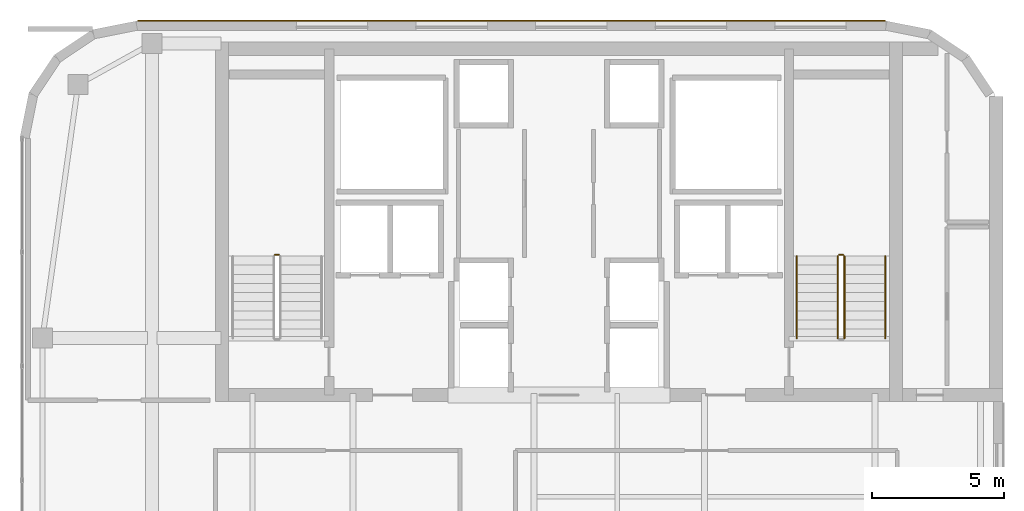
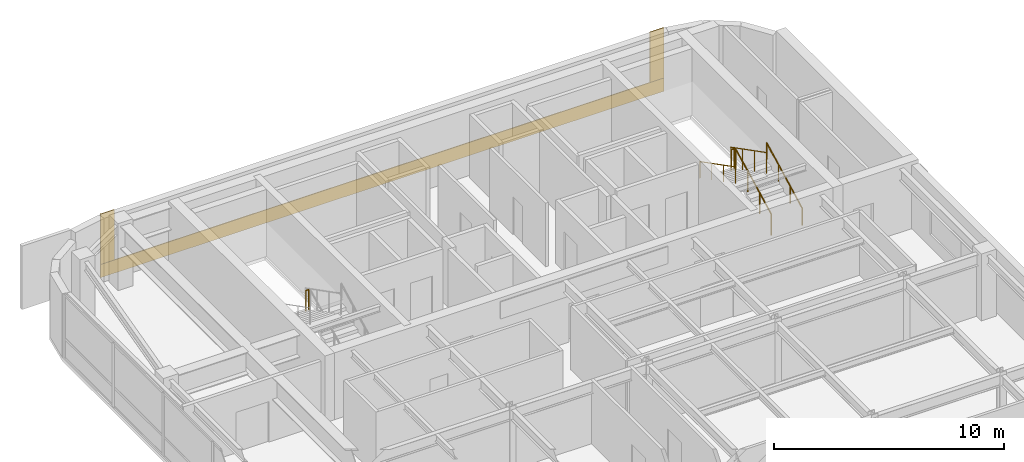
# One storey, part 21 of 21: 6 railings, 3 coverings.
"""IFC4 building model written with IfcOpenShell, lengths in metres."""

from ifc_helpers import new_model, si_unit, direction, frame, origin, origin_2d, place, context, subcontext, project, spatial, polyline, circle, outline, extrude, material, layer, layer_set, type_object, element, save


model = new_model("IFC4")

# Units and contexts
model_context = context("Model", 3, precision=1e-05, world=origin(), true_north=direction((0.0, 1.0)))
body_context = subcontext(model_context, "Body", "Model", "MODEL_VIEW")
ifc_project = project(units=[si_unit("LENGTHUNIT", "METRE"), si_unit("AREAUNIT", "SQUARE_METRE"), si_unit("VOLUMEUNIT", "CUBIC_METRE"), si_unit("PLANEANGLEUNIT", "RADIAN"), si_unit("MASSUNIT", "GRAM", prefix="KILO")], contexts=[model_context])

# Site, building, storey
site_placement = place(None, origin())
site = spatial("IfcSite", under=ifc_project, at=site_placement, CompositionType="ELEMENT")
building_placement = place(site_placement, origin())
building = spatial("IfcBuilding", under=site, at=building_placement, Name="Tolvann Quenvar Hotel", CompositionType="ELEMENT")
storey_placement = place(building_placement, frame((0.0, 0.0, 227.449951171875)))
storey = spatial("IfcBuildingStorey", under=building, at=storey_placement, Name="L60", CompositionType="ELEMENT", Elevation=227.449951171875)

# Coverings
ifc_material_1 = material(Name="Kiln-fired red architectural face brick cladding", Category="masonry")
ifc_layer_1 = layer(ifc_material_1, 0.0400390625)
ifc_layer_set_1 = layer_set([ifc_layer_1], Name="Kiln-fired red architectural face brick cladding")
covering_type_1 = type_object("IfcCoveringType", Name="COV_CLAD_BRICK_40", PredefinedType="CLADDING", material=ifc_layer_set_1)
covering_1_placement = place(storey_placement, frame((0.0, 0.0, 0.699951171875)))
element("IfcCovering", 1, at=covering_1_placement, inside=storey, type_object=covering_type_1, Name="Brick Pier Cladding (L60-E14-P1)", PredefinedType="CLADDING", context=body_context, shape_type="SweptSolid", body=[
    extrude(outline(polyline([(35.332763671875, 46.0), (34.6328125, 46.0), (34.6328125, 46.0400390625), (35.332763671875, 46.0400390625), (35.332763671875, 46.0)])), origin(), (0.0, 0.0, 1.0), 2.670166015625),
])
covering_2_placement = place(storey_placement, frame((0.0, 0.0, 0.699951171875)))
element("IfcCovering", 2, at=covering_2_placement, inside=storey, type_object=covering_type_1, Name="Brick Pier Cladding (L60-E14-P2)", PredefinedType="CLADDING", context=body_context, shape_type="SweptSolid", body=[
    extrude(outline(polyline([(7.76708984375, 46.0), (7.067138671875, 46.0), (7.067138671875, 46.0400390625), (7.76708984375, 46.0400390625), (7.76708984375, 46.0)])), origin(), (0.0, 0.0, 1.0), 2.670166015625),
])
ifc_material_2 = material(Name="Moulded buff architectural terracotta spandrel cladding", Category="masonry")
ifc_layer_2 = layer(ifc_material_2, 0.0400390625)
ifc_layer_set_2 = layer_set([ifc_layer_2], Name="Moulded buff architectural terracotta spandrel cladding")
covering_type_2 = type_object("IfcCoveringType", Name="COV_CLAD_TERRA_40", PredefinedType="CLADDING", material=ifc_layer_set_2)
covering_3_placement = place(storey_placement, origin())
element("IfcCovering", 3, at=covering_3_placement, inside=storey, type_object=covering_type_2, Name="Terracotta Spandrel Cladding (L60-E14)", PredefinedType="CLADDING", context=body_context, shape_type="SweptSolid", body=[
    extrude(outline(polyline([(35.3427734375, 46.0), (7.05712890625, 46.0), (7.05712890625, 46.0400390625), (35.3427734375, 46.0400390625), (35.3427734375, 46.0)])), origin(), (0.0, 0.0, 1.0), 0.699951171875),
])

# Railings
ifc_material_3 = material(Name="Brushed 316 stainless steel balustrade and handrail", Category="steel")
railing_type_1 = type_object("IfcRailingType", Name="GUARDRAIL", PredefinedType="GUARDRAIL", material=ifc_material_3)
railing_1_placement = place(storey_placement, frame((12.39990234375, 37.155029296875, 1.775146484375)))
element("IfcRailing", 4, at=railing_1_placement, inside=storey, type_object=railing_type_1, Name="L60 ST-C1 stair guard 2", PredefinedType="GUARDRAIL", context=body_context, shape_type="SweptSolid", body=[
    extrude(circle(Radius=0.02392578125, at=origin_2d()), frame((0.0, 0.0, 1.09619140625), z_axis=(-1.0, 0.0, 0.0), x_axis=(0.0, -1.0, 0.0)), (0.0, 0.0, 1.0), 0.14990234375),
    extrude(circle(Radius=0.02099609375, at=origin_2d()), origin(), (0.0, 0.0, 1.0), 1.072021484375),
    extrude(circle(Radius=0.02099609375, at=origin_2d()), frame((-0.14990234375, 0.0, 0.0)), (0.0, 0.0, 1.0), 1.072021484375),
])
railing_2_placement = place(storey_placement, frame((33.800048828125, 34.0, 0.177490234375)))
element("IfcRailing", 5, at=railing_2_placement, inside=storey, type_object=railing_type_1, Name="L60 ST-C2 stair guard 1", PredefinedType="GUARDRAIL", context=body_context, shape_type="SweptSolid", body=[
    extrude(circle(Radius=0.02392578125, at=origin_2d()), frame((0.0, 0.0, 1.09619140625), z_axis=(0.0, 0.88919353882, 0.457531256332), x_axis=(-1.0, 0.0, 0.0)), (0.0, 0.0, 1.0), 3.491943359375),
    extrude(circle(Radius=0.02099609375, at=origin_2d()), origin(), (0.0, 0.0, 1.0), 1.072021484375),
    extrude(circle(Radius=0.02099609375, at=origin_2d()), frame((0.0, 1.034912109375, 0.532470703125)), (0.0, 0.0, 1.0), 1.072021484375),
    extrude(circle(Radius=0.02099609375, at=origin_2d()), frame((0.0, 2.070068359375, 1.065185546875)), (0.0, 0.0, 1.0), 1.072021484375),
    extrude(circle(Radius=0.02099609375, at=origin_2d()), frame((0.0, 3.10498046875, 1.59765625)), (0.0, 0.0, 1.0), 1.072021484375),
])
railing_3_placement = place(storey_placement, frame((33.75, 37.155029296875, 1.775146484375)))
element("IfcRailing", 6, at=railing_3_placement, inside=storey, type_object=railing_type_1, Name="L60 ST-C2 stair guard 2", PredefinedType="GUARDRAIL", context=body_context, shape_type="SweptSolid", body=[
    extrude(circle(Radius=0.02392578125, at=origin_2d()), frame((0.0, 0.0, 1.09619140625), z_axis=(-1.0, 0.0, 0.0), x_axis=(0.0, -1.0, 0.0)), (0.0, 0.0, 1.0), 0.14990234375),
    extrude(circle(Radius=0.02099609375, at=origin_2d()), origin(), (0.0, 0.0, 1.0), 1.072021484375),
    extrude(circle(Radius=0.02099609375, at=origin_2d()), frame((-0.14990234375, 0.0, 0.0)), (0.0, 0.0, 1.0), 1.072021484375),
])
railing_4_placement = place(storey_placement, frame((33.550048828125, 37.10498046875, 1.95263671875)))
element("IfcRailing", 7, at=railing_4_placement, inside=storey, type_object=railing_type_1, Name="L60 ST-C2 stair guard 3", PredefinedType="GUARDRAIL", context=body_context, shape_type="SweptSolid", body=[
    extrude(circle(Radius=0.02392578125, at=origin_2d()), frame((0.0, 0.0, 1.09619140625), z_axis=(0.0, -0.889221982265, 0.45747597342), x_axis=(1.0, 0.0, 0.0)), (0.0, 0.0, 1.0), 3.49169921875),
    extrude(circle(Radius=0.02099609375, at=origin_2d()), origin(), (0.0, 0.0, 1.0), 1.072021484375),
    extrude(circle(Radius=0.02099609375, at=origin_2d()), frame((0.0, -1.034912109375, 0.532470703125)), (0.0, 0.0, 1.0), 1.072021484375),
    extrude(circle(Radius=0.02099609375, at=origin_2d()), frame((0.0, -2.070068359375, 1.06494140625)), (0.0, 0.0, 1.0), 1.072021484375),
    extrude(circle(Radius=0.02099609375, at=origin_2d()), frame((0.0, -3.10498046875, 1.597412109375)), (0.0, 0.0, 1.0), 1.072021484375),
])
railing_type_2 = type_object("IfcRailingType", Name="HANDRAIL", PredefinedType="HANDRAIL", material=ifc_material_3)
railing_5_placement = place(storey_placement, frame((35.35009765625, 34.0, 0.177490234375)))
element("IfcRailing", 8, at=railing_5_placement, inside=storey, type_object=railing_type_2, Name="L60 ST-C2 stair handrail 1", PredefinedType="HANDRAIL", context=body_context, shape_type="SweptSolid", body=[
    extrude(circle(Radius=0.02392578125, at=origin_2d()), frame((0.0, 0.0, 0.8759765625), z_axis=(0.0, 0.88919353882, 0.457531256332), x_axis=(-1.0, 0.0, 0.0)), (0.0, 0.0, 1.0), 3.491943359375),
    extrude(circle(Radius=0.02099609375, at=origin_2d()), origin(), (0.0, 0.0, 1.0), 0.851806640625),
    extrude(circle(Radius=0.02099609375, at=origin_2d()), frame((0.0, 1.034912109375, 0.532470703125)), (0.0, 0.0, 1.0), 0.851806640625),
    extrude(circle(Radius=0.02099609375, at=origin_2d()), frame((0.0, 2.070068359375, 1.065185546875)), (0.0, 0.0, 1.0), 0.851806640625),
    extrude(circle(Radius=0.02099609375, at=origin_2d()), frame((0.0, 3.10498046875, 1.59765625)), (0.0, 0.0, 1.0), 0.851806640625),
])
railing_6_placement = place(storey_placement, frame((32.0, 37.10498046875, 1.95263671875)))
element("IfcRailing", 9, at=railing_6_placement, inside=storey, type_object=railing_type_2, Name="L60 ST-C2 stair handrail 2", PredefinedType="HANDRAIL", context=body_context, shape_type="SweptSolid", body=[
    extrude(circle(Radius=0.02392578125, at=origin_2d()), frame((0.0, 0.0, 0.8759765625), z_axis=(0.0, -0.889221982265, 0.45747597342), x_axis=(1.0, 0.0, 0.0)), (0.0, 0.0, 1.0), 3.49169921875),
    extrude(circle(Radius=0.02099609375, at=origin_2d()), origin(), (0.0, 0.0, 1.0), 0.851806640625),
    extrude(circle(Radius=0.02099609375, at=origin_2d()), frame((0.0, -1.034912109375, 0.532470703125)), (0.0, 0.0, 1.0), 0.851806640625),
    extrude(circle(Radius=0.02099609375, at=origin_2d()), frame((0.0, -2.070068359375, 1.06494140625)), (0.0, 0.0, 1.0), 0.851806640625),
    extrude(circle(Radius=0.02099609375, at=origin_2d()), frame((0.0, -3.10498046875, 1.597412109375)), (0.0, 0.0, 1.0), 0.851806640625),
])

save(model, "model.ifc")
